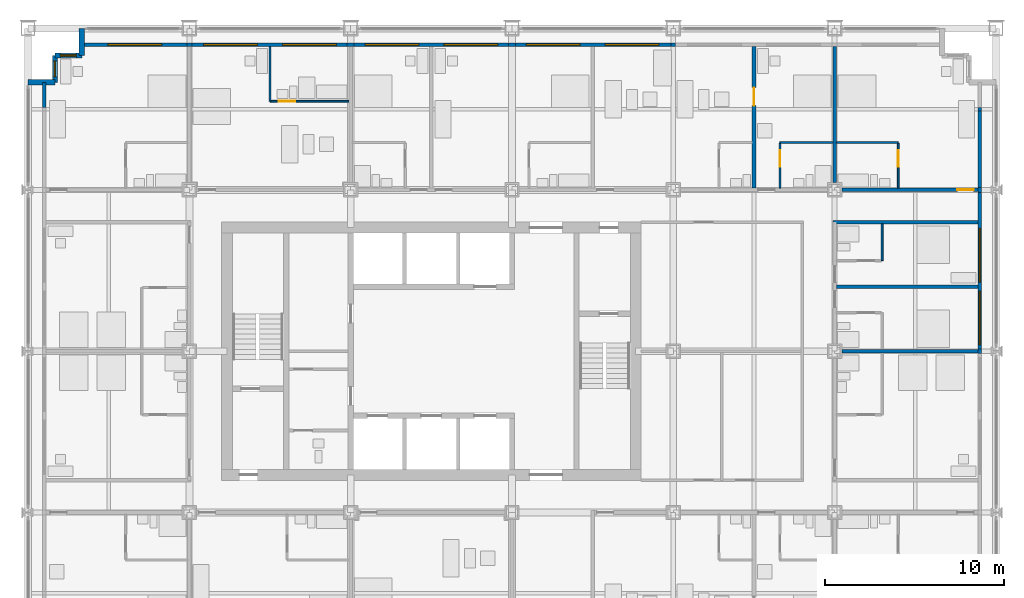
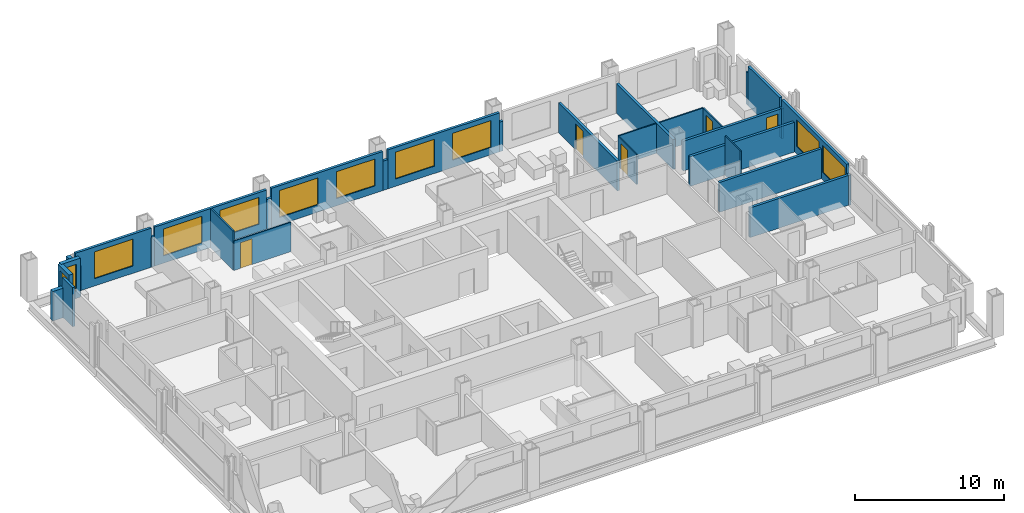
# One storey, part 14 of 18: 31 walls, 11 windows, 5 doors, 16 openings.
"""IFC4 building model written with IfcOpenShell, lengths in metres."""

from ifc_helpers import new_model, si_unit, direction, frame, frame_2d, origin, place, context, subcontext, project, spatial, rectangle, extrude, material, layer, layer_set, type_object, element, fill, save


model = new_model("IFC4")

# Units and contexts
model_context = context("Model", 3, precision=1e-05, world=origin(), true_north=direction((0.0, 1.0)))
body_context = subcontext(model_context, "Body", "Model", "MODEL_VIEW")
ifc_project = project(units=[si_unit("LENGTHUNIT", "METRE"), si_unit("AREAUNIT", "SQUARE_METRE"), si_unit("VOLUMEUNIT", "CUBIC_METRE"), si_unit("PLANEANGLEUNIT", "RADIAN"), si_unit("MASSUNIT", "GRAM", prefix="KILO")], contexts=[model_context])

# Site, building, storey
site_placement = place(None, origin())
site = spatial("IfcSite", under=ifc_project, at=site_placement, CompositionType="ELEMENT")
building_placement = place(site_placement, origin())
building = spatial("IfcBuilding", under=site, at=building_placement, Name="Loomwork Tower", CompositionType="ELEMENT")
storey_placement = place(building_placement, frame((0.0, 0.0, 75.60009765625)))
storey = spatial("IfcBuildingStorey", under=building, at=storey_placement, Name="L19", CompositionType="ELEMENT", Elevation=75.60009765625)

# Wall, opening, door
ifc_material_1 = material(Name="Gypsum board on steel studs, one-hour", Category="steel")
ifc_layer_1 = layer(ifc_material_1, 0.199951171875)
ifc_layer_set_1 = layer_set([ifc_layer_1], Name="Corridor wall 200")
wall_type_1 = type_object("IfcWallType", Name="Corridor wall 200", PredefinedType="PARTITIONING", material=ifc_layer_set_1)
wall_1_placement = place(storey_placement, frame((45.39990234375, 27.0, 0.0), z_axis=(0.0, 0.0, 1.0), x_axis=(1.0, 0.0, 0.0)))
wall_1 = element("IfcWall", 1, at=wall_1_placement, inside=storey, type_object=wall_type_1, Name="North corridor wall 6", PredefinedType="PARTITIONING", context=body_context, shape_type="SweptSolid", body=[
    extrude(rectangle(XDim=7.60009765625, YDim=0.199951171875, at=frame_2d((3.800048828125, 0.0))), origin(), (0.0, 0.0, 1.0), 2.43798828125),
])
opening_1_placement = place(wall_1_placement, frame((6.449951171875, 0.0, 0.0)))
opening_1 = element("IfcOpeningElement", 2, at=opening_1_placement, cuts=wall_1, Name="Opening D1", PredefinedType="OPENING", context=body_context, shape_type="SweptSolid", body=[
    extrude(rectangle(XDim=0.89990234375, YDim=2.10009765625, at=frame_2d((0.449951171875, 1.050048828125))), frame((0.0, 0.10986328125, 0.0), z_axis=(0.0, -1.0, 0.0), x_axis=(1.0, 0.0, 0.0)), (0.0, 0.0, 1.0), 0.219970703125),
])
ifc_material_2 = material(Name="Hollow metal door and frame")
door_type_1 = type_object("IfcDoorType", Name="Guest room entry door 900", OperationType="SINGLE_SWING_LEFT", PredefinedType="DOOR", material=ifc_material_2)
door_1_placement = place(opening_1_placement, origin())
door_1 = element("IfcDoor", 3, at=door_1_placement, inside=storey, type_object=door_type_1, Name="Guest room entry door L19 13", OperationType="SINGLE_SWING_RIGHT", OverallHeight=2.10009765625, OverallWidth=0.89990234375, PredefinedType="DOOR", context=body_context, shape_type="SweptSolid", body=[
    extrude(rectangle(XDim=0.89990234375, YDim=2.10009765625, at=frame_2d((0.449951171875, 1.050048828125))), frame((0.0, 0.02490234375, 0.0), z_axis=(0.0, -1.0, 0.0), x_axis=(1.0, 0.0, 0.0)), (0.0, 0.0, 1.0), 0.050048828125),
])
fill(opening_1, door_1)

# Wall
wall_2_placement = place(storey_placement, frame((44.89990234375, 25.199951171875, 0.0), z_axis=(0.0, 0.0, 1.0), x_axis=(1.0, 0.0, 0.0)))
element("IfcWall", 4, at=wall_2_placement, inside=storey, type_object=wall_type_1, Name="East band end wall N", PredefinedType="PARTITIONING", context=body_context, shape_type="SweptSolid", body=[
    extrude(rectangle(XDim=8.10009765625, YDim=0.199951171875, at=frame_2d((4.050048828125, 0.0))), origin(), (0.0, 0.0, 1.0), 2.43798828125),
])

# Wall, opening, door
ifc_material_3 = material(Name="Cement board on steel studs", Category="steel")
ifc_layer_2 = layer(ifc_material_3, 0.10009765625)
ifc_layer_set_2 = layer_set([ifc_layer_2], Name="En-suite partition 100")
wall_type_2 = type_object("IfcWallType", Name="En-suite partition 100", PredefinedType="PARTITIONING", material=ifc_layer_set_2)
wall_3_placement = place(storey_placement, frame((13.5, 31.949951171875, 0.0), z_axis=(0.0, 0.0, 1.0), x_axis=(1.0, 0.0, 0.0)))
wall_3 = element("IfcWall", 5, at=wall_3_placement, inside=storey, type_object=wall_type_2, Name="Spa bathroom wall L19 room 8", PredefinedType="PARTITIONING", context=body_context, shape_type="SweptSolid", body=[
    extrude(rectangle(XDim=4.39990234375, YDim=0.10009765625, at=frame_2d((2.199951171875, 0.0))), origin(), (0.0, 0.0, 1.0), 2.40380859375),
])
opening_2_placement = place(wall_3_placement, frame((0.5, 0.0, 0.0)))
opening_2 = element("IfcOpeningElement", 6, at=opening_2_placement, cuts=wall_3, Name="Opening D2", PredefinedType="OPENING", context=body_context, shape_type="SweptSolid", body=[
    extrude(rectangle(XDim=0.89990234375, YDim=2.10009765625, at=frame_2d((0.449951171875, 1.050048828125))), frame((0.0, 0.06005859375, 0.0), z_axis=(0.0, -1.0, 0.0), x_axis=(1.0, 0.0, 0.0)), (0.0, 0.0, 1.0), 0.1201171875),
])
ifc_material_4 = material(Name="Hollow metal door and frame")
door_type_2 = type_object("IfcDoorType", Name="En-suite door 900", OperationType="SINGLE_SWING_LEFT", PredefinedType="DOOR", material=ifc_material_4)
door_2_placement = place(opening_2_placement, origin())
door_2 = element("IfcDoor", 7, at=door_2_placement, inside=storey, type_object=door_type_2, Name="Spa bathroom door room 8", OperationType="SINGLE_SWING_LEFT", OverallHeight=2.10009765625, OverallWidth=0.89990234375, PredefinedType="DOOR", context=body_context, shape_type="SweptSolid", body=[
    extrude(rectangle(XDim=0.89990234375, YDim=2.10009765625, at=frame_2d((0.449951171875, 1.050048828125))), frame((0.0, 0.02490234375, 0.0), z_axis=(0.0, -1.0, 0.0), x_axis=(1.0, 0.0, 0.0)), (0.0, 0.0, 1.0), 0.050048828125),
])
fill(opening_2, door_2)

# Walls
wall_4_placement = place(storey_placement, frame((13.5, 31.949951171875, 0.0), z_axis=(0.0, 0.0, 1.0), x_axis=(0.0, 1.0, 0.0)))
element("IfcWall", 8, at=wall_4_placement, inside=storey, type_object=wall_type_2, Name="Spa bathroom side wall L19 room 8", PredefinedType="PARTITIONING", context=body_context, shape_type="SweptSolid", body=[
    extrude(rectangle(XDim=3.050048828125, YDim=0.10009765625, at=frame_2d((1.52490234375, 0.0))), origin(), (0.0, 0.0, 1.0), 3.199951171875),
])
wall_5_placement = place(storey_placement, frame((41.949951171875, 29.64990234375, 0.0), z_axis=(0.0, 0.0, 1.0), x_axis=(1.0, 0.0, 0.0)))
element("IfcWall", 9, at=wall_5_placement, inside=storey, type_object=wall_type_2, Name="En-suite wall L19 room 12", PredefinedType="PARTITIONING", context=body_context, shape_type="SweptSolid", body=[
    extrude(rectangle(XDim=2.949951171875, YDim=0.10009765625, at=frame_2d((1.47509765625, 0.0))), origin(), (0.0, 0.0, 1.0), 2.43798828125),
])

# Wall, opening, door
wall_6_placement = place(storey_placement, frame((41.949951171875, 27.10009765625, 0.0), z_axis=(0.0, 0.0, 1.0), x_axis=(0.0, 1.0, 0.0)))
wall_6 = element("IfcWall", 10, at=wall_6_placement, inside=storey, type_object=wall_type_2, Name="En-suite side wall L19 room 12", PredefinedType="PARTITIONING", context=body_context, shape_type="SweptSolid", body=[
    extrude(rectangle(XDim=2.5, YDim=0.10009765625, at=frame_2d((1.25, 0.0))), origin(), (0.0, 0.0, 1.0), 2.43798828125),
])
opening_3_placement = place(wall_6_placement, frame((1.199951171875, 0.0, 0.0)))
opening_3 = element("IfcOpeningElement", 11, at=opening_3_placement, cuts=wall_6, Name="Opening D2", PredefinedType="OPENING", context=body_context, shape_type="SweptSolid", body=[
    extrude(rectangle(XDim=0.89990234375, YDim=2.10009765625, at=frame_2d((0.449951171875, 1.050048828125))), frame((0.0, 0.06005859375, 0.0), z_axis=(0.0, -1.0, 0.0), x_axis=(1.0, 0.0, 0.0)), (0.0, 0.0, 1.0), 0.1201171875),
])
door_3_placement = place(opening_3_placement, frame((0.89990234375, 0.0, 0.0), z_axis=(0.0, 0.0, 1.0), x_axis=(-1.0, 0.0, 0.0)))
door_3 = element("IfcDoor", 12, at=door_3_placement, inside=storey, type_object=door_type_2, Name="En-suite door room 12", OperationType="SINGLE_SWING_LEFT", OverallHeight=2.10009765625, OverallWidth=0.89990234375, PredefinedType="DOOR", context=body_context, shape_type="SweptSolid", body=[
    extrude(rectangle(XDim=0.89990234375, YDim=2.10009765625, at=frame_2d((0.449951171875, 1.050048828125))), frame((0.0, 0.02490234375, 0.0), z_axis=(0.0, -1.0, 0.0), x_axis=(1.0, 0.0, 0.0)), (0.0, 0.0, 1.0), 0.050048828125),
])
fill(opening_3, door_3)

# Wall
wall_7_placement = place(storey_placement, frame((45.10009765625, 29.64990234375, 0.0), z_axis=(0.0, 0.0, 1.0), x_axis=(1.0, 0.0, 0.0)))
element("IfcWall", 13, at=wall_7_placement, inside=storey, type_object=wall_type_2, Name="En-suite wall L19 room 13", PredefinedType="PARTITIONING", context=body_context, shape_type="SweptSolid", body=[
    extrude(rectangle(XDim=3.449951171875, YDim=0.10009765625, at=frame_2d((1.72509765625, 0.0))), origin(), (0.0, 0.0, 1.0), 2.43798828125),
])

# Wall, opening, door
wall_8_placement = place(storey_placement, frame((48.550048828125, 27.10009765625, 0.0), z_axis=(0.0, 0.0, 1.0), x_axis=(0.0, 1.0, 0.0)))
wall_8 = element("IfcWall", 14, at=wall_8_placement, inside=storey, type_object=wall_type_2, Name="En-suite side wall L19 room 13", PredefinedType="PARTITIONING", context=body_context, shape_type="SweptSolid", body=[
    extrude(rectangle(XDim=2.5, YDim=0.10009765625, at=frame_2d((1.25, 0.0))), origin(), (0.0, 0.0, 1.0), 2.43798828125),
])
opening_4_placement = place(wall_8_placement, frame((1.199951171875, 0.0, 0.0)))
opening_4 = element("IfcOpeningElement", 15, at=opening_4_placement, cuts=wall_8, Name="Opening D2", PredefinedType="OPENING", context=body_context, shape_type="SweptSolid", body=[
    extrude(rectangle(XDim=0.89990234375, YDim=2.10009765625, at=frame_2d((0.449951171875, 1.050048828125))), frame((0.0, 0.06005859375, 0.0), z_axis=(0.0, -1.0, 0.0), x_axis=(1.0, 0.0, 0.0)), (0.0, 0.0, 1.0), 0.1201171875),
])
door_4_placement = place(opening_4_placement, origin())
door_4 = element("IfcDoor", 16, at=door_4_placement, inside=storey, type_object=door_type_2, Name="En-suite door room 13", OperationType="SINGLE_SWING_RIGHT", OverallHeight=2.10009765625, OverallWidth=0.89990234375, PredefinedType="DOOR", context=body_context, shape_type="SweptSolid", body=[
    extrude(rectangle(XDim=0.89990234375, YDim=2.10009765625, at=frame_2d((0.449951171875, 1.050048828125))), frame((0.0, 0.02490234375, 0.0), z_axis=(0.0, -1.0, 0.0), x_axis=(1.0, 0.0, 0.0)), (0.0, 0.0, 1.0), 0.050048828125),
])
fill(opening_4, door_4)

# Wall
wall_9_placement = place(storey_placement, frame((47.64990234375, 23.050048828125, 0.0), z_axis=(0.0, 0.0, 1.0), x_axis=(0.0, 1.0, 0.0)))
element("IfcWall", 17, at=wall_9_placement, inside=storey, type_object=wall_type_2, Name="En-suite wall L19 room 18", PredefinedType="PARTITIONING", context=body_context, shape_type="SweptSolid", body=[
    extrude(rectangle(XDim=2.050048828125, YDim=0.10009765625, at=frame_2d((1.02490234375, 0.0))), origin(), (0.0, 0.0, 1.0), 3.199951171875),
])

# Wall, opening, door
ifc_material_5 = material(Name="Gypsum board on steel studs, acoustic", Category="steel")
ifc_layer_3 = layer(ifc_material_5, 0.199951171875)
ifc_layer_set_3 = layer_set([ifc_layer_3], Name="Guest room party wall 200")
wall_type_3 = type_object("IfcWallType", Name="Guest room party wall 200", PredefinedType="PARTITIONING", material=ifc_layer_set_3)
wall_10_placement = place(storey_placement, frame((40.5, 27.10009765625, 0.0), z_axis=(0.0, 0.0, 1.0), x_axis=(0.0, 1.0, 0.0)))
wall_10 = element("IfcWall", 18, at=wall_10_placement, inside=storey, type_object=wall_type_3, Name="Guest room party wall N 40.5", PredefinedType="PARTITIONING", context=body_context, shape_type="SweptSolid", body=[
    extrude(rectangle(XDim=7.89990234375, YDim=0.199951171875, at=frame_2d((3.949951171875, 0.0))), origin(), (0.0, 0.0, 1.0), 2.43798828125),
])
opening_5_placement = place(wall_10_placement, frame((4.60009765625, 0.0, 0.0)))
opening_5 = element("IfcOpeningElement", 19, at=opening_5_placement, cuts=wall_10, Name="Opening D7", PredefinedType="OPENING", context=body_context, shape_type="SweptSolid", body=[
    extrude(rectangle(XDim=1.0, YDim=2.10009765625, at=frame_2d((0.5, 1.050048828125))), frame((0.0, 0.10986328125, 0.0), z_axis=(0.0, -1.0, 0.0), x_axis=(1.0, 0.0, 0.0)), (0.0, 0.0, 1.0), 0.219970703125),
])
ifc_material_6 = material(Name="Hollow metal door and frame")
door_type_3 = type_object("IfcDoorType", Name="Room door 1000", OperationType="SINGLE_SWING_LEFT", PredefinedType="DOOR", material=ifc_material_6)
door_5_placement = place(opening_5_placement, frame((1.0, 0.0, 0.0), z_axis=(0.0, 0.0, 1.0), x_axis=(-1.0, 0.0, 0.0)))
door_5 = element("IfcDoor", 20, at=door_5_placement, inside=storey, type_object=door_type_3, Name="Suite connecting door L19 N 40.5", OperationType="SINGLE_SWING_RIGHT", OverallHeight=2.10009765625, OverallWidth=1.0, PredefinedType="DOOR", context=body_context, shape_type="SweptSolid", body=[
    extrude(rectangle(XDim=1.0, YDim=2.10009765625, at=frame_2d((0.5, 1.050048828125))), frame((0.0, 0.02490234375, 0.0), z_axis=(0.0, -1.0, 0.0), x_axis=(1.0, 0.0, 0.0)), (0.0, 0.0, 1.0), 0.050048828125),
])
fill(opening_5, door_5)

# Walls
for number, where, z_axis, x_axis, name in (
    (21, (45.0, 27.39990234375, 0.0), (0.0, 0.0, 1.0), (0.0, 1.0, 0.0), "Guest room party wall N 45"),
    (22, (45.39990234375, 18.0, 0.0), (0.0, 0.0, 1.0), (1.0, 0.0, 0.0), "Guest room party wall E 18"),
):
    element("IfcWall", number, at=place(storey_placement, frame(where, z_axis=z_axis, x_axis=x_axis)), inside=storey, type_object=wall_type_3, Name=name, PredefinedType="PARTITIONING", context=body_context, shape_type="SweptSolid", body=[
        extrude(rectangle(XDim=7.60009765625, YDim=0.199951171875, at=frame_2d((3.800048828125, 0.0))), origin(), (0.0, 0.0, 1.0), 2.43798828125),
    ])
wall_11_placement = place(storey_placement, frame((45.10009765625, 21.60009765625, 0.0), z_axis=(0.0, 0.0, 1.0), x_axis=(1.0, 0.0, 0.0)))
element("IfcWall", 23, at=wall_11_placement, inside=storey, type_object=wall_type_3, Name="Guest room party wall E 21.6", PredefinedType="PARTITIONING", context=body_context, shape_type="SweptSolid", body=[
    extrude(rectangle(XDim=7.89990234375, YDim=0.199951171875, at=frame_2d((3.949951171875, 0.0))), origin(), (0.0, 0.0, 1.0), 2.43798828125),
])

# Wall, opening, window
ifc_material_7 = material(Name="Insulated steel stud wall with gypsum lining", Category="steel")
ifc_layer_4 = layer(ifc_material_7, 0.199951171875)
ifc_layer_set_4 = layer_set([ifc_layer_4], Name="Inner skin wall 200")
wall_type_4 = type_object("IfcWallType", Name="Inner skin wall 200", PredefinedType="SOLIDWALL", material=ifc_layer_set_4)
wall_12_placement = place(storey_placement, frame((3.0, 35.10009765625, 0.0), z_axis=(0.0, 0.0, 1.0), x_axis=(1.0, 0.0, 0.0)))
wall_12 = element("IfcWall", 24, at=wall_12_placement, inside=storey, type_object=wall_type_4, Name="Inner skin wall N", PredefinedType="SOLIDWALL", context=body_context, shape_type="SweptSolid", body=[
    extrude(rectangle(XDim=5.86474609375, YDim=0.199951171875, at=frame_2d((2.932373046875, 0.0))), origin(), (0.0, 0.0, 1.0), 3.199951171875),
])
opening_6_placement = place(wall_12_placement, frame((1.449951171875, 0.0, 0.60009765625)))
opening_6 = element("IfcOpeningElement", 25, at=opening_6_placement, cuts=wall_12, Name="Opening CH1", PredefinedType="OPENING", context=body_context, shape_type="SweptSolid", body=[
    extrude(rectangle(XDim=3.0, YDim=2.199951171875, at=frame_2d((1.5, 1.10009765625))), frame((0.0, 0.10986328125, 0.0), z_axis=(0.0, -1.0, 0.0), x_axis=(1.0, 0.0, 0.0)), (0.0, 0.0, 1.0), 0.219970703125),
])
ifc_material_8 = material(Name="Aluminium frame with clear insulated glass", Category="aluminium")
window_type_1 = type_object("IfcWindowType", Name="Chicago window 3000", PartitioningType="TRIPLE_PANEL_VERTICAL", PredefinedType="WINDOW", material=ifc_material_8)
window_1_placement = place(opening_6_placement, origin())
window_1 = element("IfcWindow", 26, at=window_1_placement, inside=storey, type_object=window_type_1, Name="Chicago window L19 bay 7", OverallHeight=2.199951171875, OverallWidth=3.0, PartitioningType="TRIPLE_PANEL_VERTICAL", PredefinedType="WINDOW", context=body_context, shape_type="SweptSolid", body=[
    extrude(rectangle(XDim=3.0, YDim=2.199951171875, at=frame_2d((1.5, 1.10009765625))), frame((0.0, 0.030029296875, 0.0), z_axis=(0.0, -1.0, 0.0), x_axis=(1.0, 0.0, 0.0)), (0.0, 0.0, 1.0), 0.06005859375),
])
fill(opening_6, window_1)

# Walls
wall_13_placement = place(storey_placement, frame((0.89990234375, 31.607421875, 0.0), z_axis=(0.0, 0.0, 1.0), x_axis=(0.0, 1.0, 0.0)))
element("IfcWall", 27, at=wall_13_placement, inside=storey, type_object=wall_type_4, Name="Inner skin wall W bay 11", PredefinedType="SOLIDWALL", context=body_context, shape_type="SweptSolid", body=[
    extrude(rectangle(XDim=1.392578125, YDim=0.199951171875, at=frame_2d((0.6962890625, 0.0))), origin(), (0.0, 0.0, 1.0), 3.199951171875),
])
wall_14_placement = place(storey_placement, frame((8.86474609375, 35.10009765625, 0.0), z_axis=(0.0, 0.0, 1.0), x_axis=(1.0, 0.0, 0.0)))
element("IfcWall", 28, at=wall_14_placement, inside=storey, type_object=wall_type_4, Name="Inner skin wall N bay 2", PredefinedType="SOLIDWALL", context=body_context, shape_type="SweptSolid", body=[
    extrude(rectangle(XDim=0.2705078125, YDim=0.199951171875, at=frame_2d((0.13525390625, 0.0))), origin(), (0.0, 0.0, 1.0), 2.43798828125),
])

# Wall, openings, windows
wall_15_placement = place(storey_placement, frame((9.13525390625, 35.10009765625, 0.0), z_axis=(0.0, 0.0, 1.0), x_axis=(1.0, 0.0, 0.0)))
wall_15 = element("IfcWall", 29, at=wall_15_placement, inside=storey, type_object=wall_type_4, Name="Inner skin wall N bay 3", PredefinedType="SOLIDWALL", context=body_context, shape_type="SweptSolid", body=[
    extrude(rectangle(XDim=8.6708984375, YDim=0.199951171875, at=frame_2d((4.33544921875, 0.0))), origin(), (0.0, 0.0, 1.0), 3.199951171875),
])
opening_7_placement = place(wall_15_placement, frame((0.664794921875, 0.0, 0.60009765625)))
opening_7 = element("IfcOpeningElement", 30, at=opening_7_placement, cuts=wall_15, Name="Opening CH1", PredefinedType="OPENING", context=body_context, shape_type="SweptSolid", body=[
    extrude(rectangle(XDim=3.0, YDim=2.199951171875, at=frame_2d((1.5, 1.10009765625))), frame((0.0, 0.10986328125, 0.0), z_axis=(0.0, -1.0, 0.0), x_axis=(1.0, 0.0, 0.0)), (0.0, 0.0, 1.0), 0.219970703125),
])
opening_8_placement = place(wall_15_placement, frame((5.064697265625, 0.0, 0.60009765625)))
opening_8 = element("IfcOpeningElement", 31, at=opening_8_placement, cuts=wall_15, Name="Opening CH1", PredefinedType="OPENING", context=body_context, shape_type="SweptSolid", body=[
    extrude(rectangle(XDim=3.0, YDim=2.199951171875, at=frame_2d((1.5, 1.10009765625))), frame((0.0, 0.10986328125, 0.0), z_axis=(0.0, -1.0, 0.0), x_axis=(1.0, 0.0, 0.0)), (0.0, 0.0, 1.0), 0.219970703125),
])
window_2_placement = place(opening_7_placement, origin())
window_2 = element("IfcWindow", 32, at=window_2_placement, inside=storey, type_object=window_type_1, Name="Chicago window L19 bay 8", OverallHeight=2.199951171875, OverallWidth=3.0, PartitioningType="TRIPLE_PANEL_VERTICAL", PredefinedType="WINDOW", context=body_context, shape_type="SweptSolid", body=[
    extrude(rectangle(XDim=3.0, YDim=2.199951171875, at=frame_2d((1.5, 1.10009765625))), frame((0.0, 0.030029296875, 0.0), z_axis=(0.0, -1.0, 0.0), x_axis=(1.0, 0.0, 0.0)), (0.0, 0.0, 1.0), 0.06005859375),
])
fill(opening_7, window_2)
window_3_placement = place(opening_8_placement, origin())
window_3 = element("IfcWindow", 33, at=window_3_placement, inside=storey, type_object=window_type_1, Name="Chicago window L19 bay 8", OverallHeight=2.199951171875, OverallWidth=3.0, PartitioningType="TRIPLE_PANEL_VERTICAL", PredefinedType="WINDOW", context=body_context, shape_type="SweptSolid", body=[
    extrude(rectangle(XDim=3.0, YDim=2.199951171875, at=frame_2d((1.5, 1.10009765625))), frame((0.0, 0.030029296875, 0.0), z_axis=(0.0, -1.0, 0.0), x_axis=(1.0, 0.0, 0.0)), (0.0, 0.0, 1.0), 0.06005859375),
])
fill(opening_8, window_3)

# Wall
wall_16_placement = place(storey_placement, frame((17.80615234375, 35.10009765625, 0.0), z_axis=(0.0, 0.0, 1.0), x_axis=(1.0, 0.0, 0.0)))
element("IfcWall", 34, at=wall_16_placement, inside=storey, type_object=wall_type_4, Name="Inner skin wall N bay 4", PredefinedType="SOLIDWALL", context=body_context, shape_type="SweptSolid", body=[
    extrude(rectangle(XDim=0.3876953125, YDim=0.199951171875, at=frame_2d((0.19384765625, 0.0))), origin(), (0.0, 0.0, 1.0), 2.40380859375),
])

# Wall, openings, windows
wall_17_placement = place(storey_placement, frame((18.19384765625, 35.10009765625, 0.0), z_axis=(0.0, 0.0, 1.0), x_axis=(1.0, 0.0, 0.0)))
wall_17 = element("IfcWall", 35, at=wall_17_placement, inside=storey, type_object=wall_type_4, Name="Inner skin wall N bay 5", PredefinedType="SOLIDWALL", context=body_context, shape_type="SweptSolid", body=[
    extrude(rectangle(XDim=8.6123046875, YDim=0.199951171875, at=frame_2d((4.30615234375, 0.0))), origin(), (0.0, 0.0, 1.0), 3.199951171875),
])
opening_9_placement = place(wall_17_placement, frame((0.606201171875, 0.0, 0.60009765625)))
opening_9 = element("IfcOpeningElement", 36, at=opening_9_placement, cuts=wall_17, Name="Opening CH1", PredefinedType="OPENING", context=body_context, shape_type="SweptSolid", body=[
    extrude(rectangle(XDim=3.0, YDim=2.199951171875, at=frame_2d((1.5, 1.10009765625))), frame((0.0, 0.10986328125, 0.0), z_axis=(0.0, -1.0, 0.0), x_axis=(1.0, 0.0, 0.0)), (0.0, 0.0, 1.0), 0.219970703125),
])
opening_10_placement = place(wall_17_placement, frame((5.006103515625, 0.0, 0.60009765625)))
opening_10 = element("IfcOpeningElement", 37, at=opening_10_placement, cuts=wall_17, Name="Opening CH1", PredefinedType="OPENING", context=body_context, shape_type="SweptSolid", body=[
    extrude(rectangle(XDim=3.0, YDim=2.199951171875, at=frame_2d((1.5, 1.10009765625))), frame((0.0, 0.10986328125, 0.0), z_axis=(0.0, -1.0, 0.0), x_axis=(1.0, 0.0, 0.0)), (0.0, 0.0, 1.0), 0.219970703125),
])
window_4_placement = place(opening_9_placement, origin())
window_4 = element("IfcWindow", 38, at=window_4_placement, inside=storey, type_object=window_type_1, Name="Chicago window L19 bay 9", OverallHeight=2.199951171875, OverallWidth=3.0, PartitioningType="TRIPLE_PANEL_VERTICAL", PredefinedType="WINDOW", context=body_context, shape_type="SweptSolid", body=[
    extrude(rectangle(XDim=3.0, YDim=2.199951171875, at=frame_2d((1.5, 1.10009765625))), frame((0.0, 0.030029296875, 0.0), z_axis=(0.0, -1.0, 0.0), x_axis=(1.0, 0.0, 0.0)), (0.0, 0.0, 1.0), 0.06005859375),
])
fill(opening_9, window_4)
window_5_placement = place(opening_10_placement, origin())
window_5 = element("IfcWindow", 39, at=window_5_placement, inside=storey, type_object=window_type_1, Name="Chicago window L19 bay 9", OverallHeight=2.199951171875, OverallWidth=3.0, PartitioningType="TRIPLE_PANEL_VERTICAL", PredefinedType="WINDOW", context=body_context, shape_type="SweptSolid", body=[
    extrude(rectangle(XDim=3.0, YDim=2.199951171875, at=frame_2d((1.5, 1.10009765625))), frame((0.0, 0.030029296875, 0.0), z_axis=(0.0, -1.0, 0.0), x_axis=(1.0, 0.0, 0.0)), (0.0, 0.0, 1.0), 0.06005859375),
])
fill(opening_10, window_5)

# Wall
wall_18_placement = place(storey_placement, frame((26.80615234375, 35.10009765625, 0.0), z_axis=(0.0, 0.0, 1.0), x_axis=(1.0, 0.0, 0.0)))
element("IfcWall", 40, at=wall_18_placement, inside=storey, type_object=wall_type_4, Name="Inner skin wall N bay 6", PredefinedType="SOLIDWALL", context=body_context, shape_type="SweptSolid", body=[
    extrude(rectangle(XDim=0.3876953125, YDim=0.199951171875, at=frame_2d((0.19384765625, 0.0))), origin(), (0.0, 0.0, 1.0), 2.40380859375),
])

# Wall, openings, windows
wall_19_placement = place(storey_placement, frame((27.19384765625, 35.10009765625, 0.0), z_axis=(0.0, 0.0, 1.0), x_axis=(1.0, 0.0, 0.0)))
wall_19 = element("IfcWall", 41, at=wall_19_placement, inside=storey, type_object=wall_type_4, Name="Inner skin wall N bay 7", PredefinedType="SOLIDWALL", context=body_context, shape_type="SweptSolid", body=[
    extrude(rectangle(XDim=8.670654296875, YDim=0.199951171875, at=frame_2d((4.33544921875, 0.0))), origin(), (0.0, 0.0, 1.0), 3.199951171875),
])
opening_11_placement = place(wall_19_placement, frame((0.606201171875, 0.0, 0.60009765625)))
opening_11 = element("IfcOpeningElement", 42, at=opening_11_placement, cuts=wall_19, Name="Opening CH1", PredefinedType="OPENING", context=body_context, shape_type="SweptSolid", body=[
    extrude(rectangle(XDim=3.0, YDim=2.199951171875, at=frame_2d((1.5, 1.10009765625))), frame((0.0, 0.10986328125, 0.0), z_axis=(0.0, -1.0, 0.0), x_axis=(1.0, 0.0, 0.0)), (0.0, 0.0, 1.0), 0.219970703125),
])
opening_12_placement = place(wall_19_placement, frame((5.006103515625, 0.0, 0.60009765625)))
opening_12 = element("IfcOpeningElement", 43, at=opening_12_placement, cuts=wall_19, Name="Opening CH1", PredefinedType="OPENING", context=body_context, shape_type="SweptSolid", body=[
    extrude(rectangle(XDim=3.0, YDim=2.199951171875, at=frame_2d((1.5, 1.10009765625))), frame((0.0, 0.10986328125, 0.0), z_axis=(0.0, -1.0, 0.0), x_axis=(1.0, 0.0, 0.0)), (0.0, 0.0, 1.0), 0.219970703125),
])
window_6_placement = place(opening_11_placement, origin())
window_6 = element("IfcWindow", 44, at=window_6_placement, inside=storey, type_object=window_type_1, Name="Chicago window L19 bay 10", OverallHeight=2.199951171875, OverallWidth=3.0, PartitioningType="TRIPLE_PANEL_VERTICAL", PredefinedType="WINDOW", context=body_context, shape_type="SweptSolid", body=[
    extrude(rectangle(XDim=3.0, YDim=2.199951171875, at=frame_2d((1.5, 1.10009765625))), frame((0.0, 0.030029296875, 0.0), z_axis=(0.0, -1.0, 0.0), x_axis=(1.0, 0.0, 0.0)), (0.0, 0.0, 1.0), 0.06005859375),
])
fill(opening_11, window_6)
window_7_placement = place(opening_12_placement, origin())
window_7 = element("IfcWindow", 45, at=window_7_placement, inside=storey, type_object=window_type_1, Name="Chicago window L19 bay 10", OverallHeight=2.199951171875, OverallWidth=3.0, PartitioningType="TRIPLE_PANEL_VERTICAL", PredefinedType="WINDOW", context=body_context, shape_type="SweptSolid", body=[
    extrude(rectangle(XDim=3.0, YDim=2.199951171875, at=frame_2d((1.5, 1.10009765625))), frame((0.0, 0.030029296875, 0.0), z_axis=(0.0, -1.0, 0.0), x_axis=(1.0, 0.0, 0.0)), (0.0, 0.0, 1.0), 0.06005859375),
])
fill(opening_12, window_7)

# Walls
for number, where, z_axis, x_axis, name in (
    (46, (35.864501953125, 35.10009765625, 0.0), (0.0, 0.0, 1.0), (1.0, 0.0, 0.0), "Inner skin wall N bay 8"),
    (47, (53.10009765625, 17.864501953125, 0.0), (0.0, 0.0, 1.0), (0.0, 1.0, 0.0), "Inner skin wall E bay 6"),
):
    element("IfcWall", number, at=place(storey_placement, frame(where, z_axis=z_axis, x_axis=x_axis)), inside=storey, type_object=wall_type_4, Name=name, PredefinedType="SOLIDWALL", context=body_context, shape_type="SweptSolid", body=[
        extrude(rectangle(XDim=0.27099609375, YDim=0.199951171875, at=frame_2d((0.135498046875, 0.0))), origin(), (0.0, 0.0, 1.0), 2.43798828125),
    ])

# Wall, openings, windows
wall_20_placement = place(storey_placement, frame((53.10009765625, 18.135498046875, 0.0), z_axis=(0.0, 0.0, 1.0), x_axis=(0.0, 1.0, 0.0)))
wall_20 = element("IfcWall", 48, at=wall_20_placement, inside=storey, type_object=wall_type_4, Name="Inner skin wall E bay 7", PredefinedType="SOLIDWALL", context=body_context, shape_type="SweptSolid", body=[
    extrude(rectangle(XDim=8.729248046875, YDim=0.199951171875, at=frame_2d((4.36474609375, 0.0))), origin(), (0.0, 0.0, 1.0), 3.199951171875),
])
opening_13_placement = place(wall_20_placement, frame((0.214599609375, 0.0, 0.60009765625)))
opening_13 = element("IfcOpeningElement", 49, at=opening_13_placement, cuts=wall_20, Name="Opening CH1", PredefinedType="OPENING", context=body_context, shape_type="SweptSolid", body=[
    extrude(rectangle(XDim=3.0, YDim=2.199951171875, at=frame_2d((1.5, 1.10009765625))), frame((0.0, 0.10986328125, 0.0), z_axis=(0.0, -1.0, 0.0), x_axis=(1.0, 0.0, 0.0)), (0.0, 0.0, 1.0), 0.219970703125),
])
opening_14_placement = place(wall_20_placement, frame((3.714599609375, 0.0, 0.60009765625)))
opening_14 = element("IfcOpeningElement", 50, at=opening_14_placement, cuts=wall_20, Name="Opening CH1", PredefinedType="OPENING", context=body_context, shape_type="SweptSolid", body=[
    extrude(rectangle(XDim=3.0, YDim=2.199951171875, at=frame_2d((1.5, 1.10009765625))), frame((0.0, 0.10986328125, 0.0), z_axis=(0.0, -1.0, 0.0), x_axis=(1.0, 0.0, 0.0)), (0.0, 0.0, 1.0), 0.219970703125),
])
window_8_placement = place(opening_13_placement, origin())
window_8 = element("IfcWindow", 51, at=window_8_placement, inside=storey, type_object=window_type_1, Name="Chicago window L19 bay 16", OverallHeight=2.199951171875, OverallWidth=3.0, PartitioningType="TRIPLE_PANEL_VERTICAL", PredefinedType="WINDOW", context=body_context, shape_type="SweptSolid", body=[
    extrude(rectangle(XDim=3.0, YDim=2.199951171875, at=frame_2d((1.5, 1.10009765625))), frame((0.0, 0.030029296875, 0.0), z_axis=(0.0, -1.0, 0.0), x_axis=(1.0, 0.0, 0.0)), (0.0, 0.0, 1.0), 0.06005859375),
])
fill(opening_13, window_8)
window_9_placement = place(opening_14_placement, origin())
window_9 = element("IfcWindow", 52, at=window_9_placement, inside=storey, type_object=window_type_1, Name="Chicago window L19 bay 16", OverallHeight=2.199951171875, OverallWidth=3.0, PartitioningType="TRIPLE_PANEL_VERTICAL", PredefinedType="WINDOW", context=body_context, shape_type="SweptSolid", body=[
    extrude(rectangle(XDim=3.0, YDim=2.199951171875, at=frame_2d((1.5, 1.10009765625))), frame((0.0, 0.030029296875, 0.0), z_axis=(0.0, -1.0, 0.0), x_axis=(1.0, 0.0, 0.0)), (0.0, 0.0, 1.0), 0.06005859375),
])
fill(opening_14, window_9)

# Walls
wall_21_placement = place(storey_placement, frame((53.10009765625, 26.86474609375, 0.0), z_axis=(0.0, 0.0, 1.0), x_axis=(0.0, 1.0, 0.0)))
element("IfcWall", 53, at=wall_21_placement, inside=storey, type_object=wall_type_4, Name="Inner skin wall E bay 8", PredefinedType="SOLIDWALL", context=body_context, shape_type="SweptSolid", body=[
    extrude(rectangle(XDim=0.2705078125, YDim=0.199951171875, at=frame_2d((0.13525390625, 0.0))), origin(), (0.0, 0.0, 1.0), 2.43798828125),
])
wall_22_placement = place(storey_placement, frame((53.10009765625, 27.13525390625, 0.0), z_axis=(0.0, 0.0, 1.0), x_axis=(0.0, 1.0, 0.0)))
element("IfcWall", 54, at=wall_22_placement, inside=storey, type_object=wall_type_4, Name="Inner skin wall E bay 9", PredefinedType="SOLIDWALL", context=body_context, shape_type="SweptSolid", body=[
    extrude(rectangle(XDim=4.25732421875, YDim=0.199951171875, at=frame_2d((2.128662109375, 0.0))), origin(), (0.0, 0.0, 1.0), 3.199951171875),
])
wall_23_placement = place(storey_placement, frame((53.10009765625, 31.392578125, 0.0), z_axis=(0.0, 0.0, 1.0), x_axis=(0.0, 1.0, 0.0)))
element("IfcWall", 55, at=wall_23_placement, inside=storey, type_object=wall_type_4, Name="Inner skin wall E bay 10", PredefinedType="SOLIDWALL", context=body_context, shape_type="SweptSolid", body=[
    extrude(rectangle(XDim=0.21484375, YDim=0.199951171875, at=frame_2d((0.107421875, 0.0))), origin(), (0.0, 0.0, 1.0), 2.660888671875),
])
ifc_material_9 = material(Name="Limestone on concrete masonry", Category="masonry")
ifc_layer_5 = layer(ifc_material_9, 0.300048828125)
ifc_layer_set_5 = layer_set([ifc_layer_5], Name="Limestone corner wall 300")
wall_type_5 = type_object("IfcWallType", Name="Limestone corner wall 300", PredefinedType="SOLIDWALL", material=ifc_layer_set_5)
wall_24_placement = place(storey_placement, frame((3.0, 36.0, 0.0), z_axis=(0.0, 0.0, 1.0), x_axis=(0.0, -1.0, 0.0)))
element("IfcWall", 56, at=wall_24_placement, inside=storey, type_object=wall_type_5, Name="Stone corner wall NW 1", PredefinedType="SOLIDWALL", context=body_context, shape_type="SweptSolid", body=[
    extrude(rectangle(XDim=1.5, YDim=0.300048828125, at=frame_2d((0.75, 0.0))), origin(), (0.0, 0.0, 1.0), 2.419921875),
])

# Wall, opening, window
wall_25_placement = place(storey_placement, frame((3.0, 34.5, 0.0), z_axis=(0.0, 0.0, 1.0), x_axis=(-1.0, 0.0, 0.0)))
wall_25 = element("IfcWall", 57, at=wall_25_placement, inside=storey, type_object=wall_type_5, Name="Stone corner wall NW 2", PredefinedType="SOLIDWALL", context=body_context, shape_type="SweptSolid", body=[
    extrude(rectangle(XDim=1.5, YDim=0.300048828125, at=frame_2d((0.75, 0.0))), origin(), (0.0, 0.0, 1.0), 3.199951171875),
])
opening_15_placement = place(wall_25_placement, frame((0.300048828125, 0.0, 0.60009765625)))
opening_15 = element("IfcOpeningElement", 58, at=opening_15_placement, cuts=wall_25, Name="Opening CH2", PredefinedType="OPENING", context=body_context, shape_type="SweptSolid", body=[
    extrude(rectangle(XDim=0.89990234375, YDim=2.199951171875, at=frame_2d((0.449951171875, 1.10009765625))), frame((0.0, 0.159912109375, 0.0), z_axis=(0.0, -1.0, 0.0), x_axis=(1.0, 0.0, 0.0)), (0.0, 0.0, 1.0), 0.320068359375),
])
ifc_material_10 = material(Name="Aluminium frame with clear insulated glass", Category="aluminium")
window_type_2 = type_object("IfcWindowType", Name="Corner window 900", PartitioningType="SINGLE_PANEL", PredefinedType="WINDOW", material=ifc_material_10)
window_10_placement = place(opening_15_placement, origin())
window_10 = element("IfcWindow", 59, at=window_10_placement, inside=storey, type_object=window_type_2, Name="Corner window NW", OverallHeight=2.199951171875, OverallWidth=0.89990234375, PartitioningType="SINGLE_PANEL", PredefinedType="WINDOW", context=body_context, shape_type="SweptSolid", body=[
    extrude(rectangle(XDim=0.89990234375, YDim=2.199951171875, at=frame_2d((0.449951171875, 1.10009765625))), frame((0.0, 0.030029296875, 0.0), z_axis=(0.0, -1.0, 0.0), x_axis=(1.0, 0.0, 0.0)), (0.0, 0.0, 1.0), 0.06005859375),
])
fill(opening_15, window_10)

wall_26_placement = place(storey_placement, frame((1.5, 34.5, 0.0), z_axis=(0.0, 0.0, 1.0), x_axis=(0.0, -1.0, 0.0)))
wall_26 = element("IfcWall", 60, at=wall_26_placement, inside=storey, type_object=wall_type_5, Name="Stone corner wall NW 3", PredefinedType="SOLIDWALL", context=body_context, shape_type="SweptSolid", body=[
    extrude(rectangle(XDim=1.5, YDim=0.300048828125, at=frame_2d((0.75, 0.0))), origin(), (0.0, 0.0, 1.0), 3.199951171875),
])
opening_16_placement = place(wall_26_placement, frame((0.300048828125, 0.0, 0.60009765625)))
opening_16 = element("IfcOpeningElement", 61, at=opening_16_placement, cuts=wall_26, Name="Opening CH2", PredefinedType="OPENING", context=body_context, shape_type="SweptSolid", body=[
    extrude(rectangle(XDim=0.89990234375, YDim=2.199951171875, at=frame_2d((0.449951171875, 1.10009765625))), frame((0.0, 0.159912109375, 0.0), z_axis=(0.0, -1.0, 0.0), x_axis=(1.0, 0.0, 0.0)), (0.0, 0.0, 1.0), 0.320068359375),
])
window_11_placement = place(opening_16_placement, origin())
window_11 = element("IfcWindow", 62, at=window_11_placement, inside=storey, type_object=window_type_2, Name="Corner window NW", OverallHeight=2.199951171875, OverallWidth=0.89990234375, PartitioningType="SINGLE_PANEL", PredefinedType="WINDOW", context=body_context, shape_type="SweptSolid", body=[
    extrude(rectangle(XDim=0.89990234375, YDim=2.199951171875, at=frame_2d((0.449951171875, 1.10009765625))), frame((0.0, 0.030029296875, 0.0), z_axis=(0.0, -1.0, 0.0), x_axis=(1.0, 0.0, 0.0)), (0.0, 0.0, 1.0), 0.06005859375),
])
fill(opening_16, window_11)

# Wall
wall_27_placement = place(storey_placement, frame((1.5, 33.0, 0.0), z_axis=(0.0, 0.0, 1.0), x_axis=(-1.0, 0.0, 0.0)))
element("IfcWall", 63, at=wall_27_placement, inside=storey, type_object=wall_type_5, Name="Stone corner wall NW 4", PredefinedType="SOLIDWALL", context=body_context, shape_type="SweptSolid", body=[
    extrude(rectangle(XDim=1.5, YDim=0.300048828125, at=frame_2d((0.75, 0.0))), origin(), (0.0, 0.0, 1.0), 2.419921875),
])

save(model, "model.ifc")
